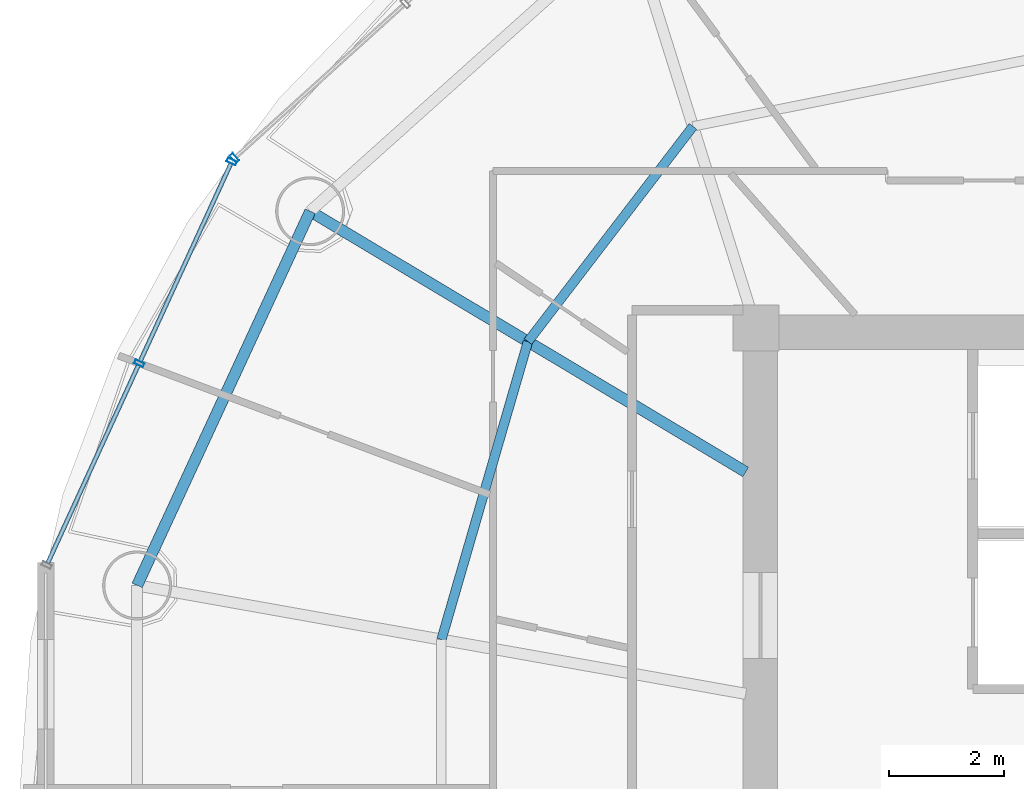
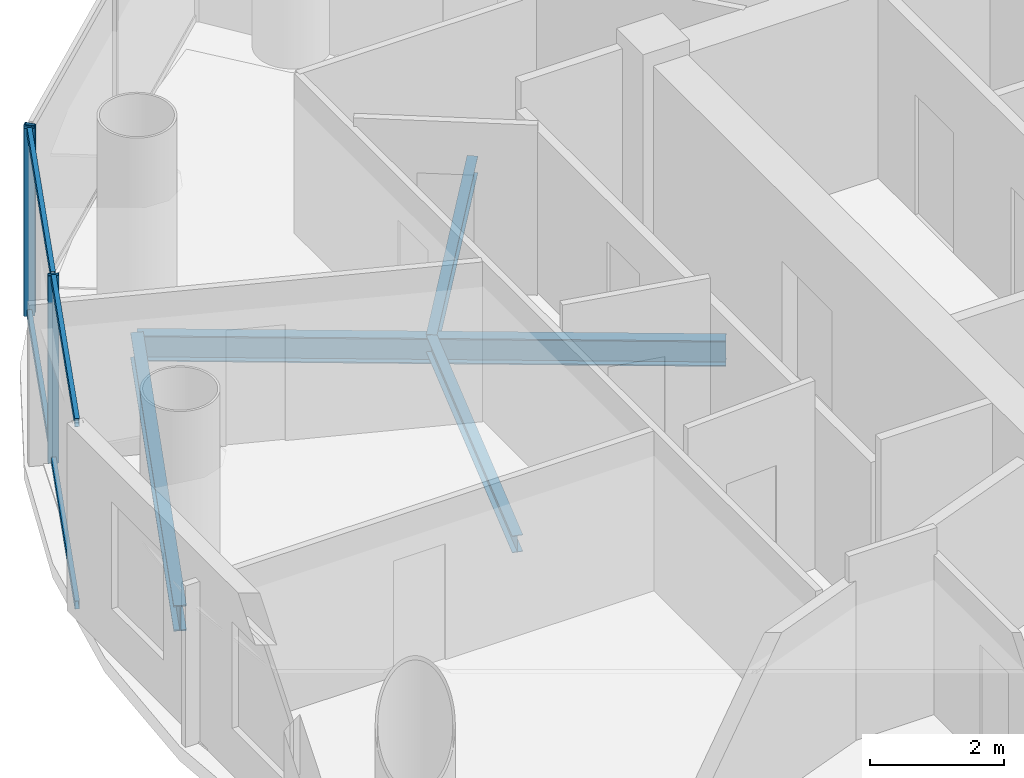
# One storey, part 8 of 26: 7 members, 4 beams, 2 elements without a shape of their own.
"""IFC4 building model written with IfcOpenShell, lengths in metres."""

from ifc_helpers import new_model, si_unit, direction, frame, origin, origin_2d, place, context, subcontext, project, spatial, hollow_rectangle, i_section, extrude, source, transform, mapped, material, material_profile, profile_set, type_object, element, aggregate, save


model = new_model("IFC4")

# Units and contexts
model_context = context("Model", 3, precision=1e-05, world=origin(), true_north=direction((-0.2419218956, 0.970295726276)))
body_context = subcontext(model_context, "Body", "Model", "MODEL_VIEW")
ifc_project = project(units=[si_unit("LENGTHUNIT", "METRE"), si_unit("AREAUNIT", "SQUARE_METRE"), si_unit("VOLUMEUNIT", "CUBIC_METRE"), si_unit("PLANEANGLEUNIT", "RADIAN"), si_unit("MASSUNIT", "GRAM", prefix="KILO")], contexts=[model_context])

# Site, building, storey
site_placement = place(None, origin())
site = spatial("IfcSite", under=ifc_project, at=site_placement, CompositionType="ELEMENT")
building_placement = place(site_placement, origin())
building = spatial("IfcBuilding", under=site, at=building_placement, Name="Cobrevalo Terracotta Tower", CompositionType="ELEMENT")
storey_placement = place(building_placement, frame((0.0, 0.0, 209.699951171875)))
storey = spatial("IfcBuildingStorey", under=building, at=storey_placement, Name="L55", CompositionType="ELEMENT", Elevation=209.699951171875)

# Beams
ifc_material_1 = material(Name="Steel S355", Category="steel")
ifc_material_profile_1 = material_profile(ifc_material_1, i_section(OverallWidth=0.194091796875, OverallDepth=0.468994140625, WebThickness=0.011474609375, FlangeThickness=0.0205078125, at=origin_2d()), Name="W 460x106")
ifc_profile_set_1 = profile_set([ifc_material_profile_1], Name="Steel S355")
beam_type_1 = type_object("IfcBeamType", Name="Structural Beam W 460x106 (Steel S355)", PredefinedType="BEAM", material=ifc_profile_set_1)
beam_1_placement = place(storey_placement, frame((21.245849609375, 36.828125, -0.49951171875), z_axis=(0.858046392192, -0.513572184651, 0.0), x_axis=(0.513572184651, 0.858046392192, 0.0)))
element("IfcBeam", 1, at=beam_1_placement, inside=storey, type_object=beam_type_1, Name="L55 radial floor girder 07", PredefinedType="BEAM", context=body_context, shape_type="SweptSolid", body=[
    extrude(i_section(OverallWidth=0.194091796875, OverallDepth=0.468994140625, WebThickness=0.011474609375, FlangeThickness=0.0205078125, at=origin_2d()), origin(), (0.0, 0.0, 1.0), 8.827392578125),
])
ifc_material_profile_2 = material_profile(ifc_material_1, i_section(OverallWidth=0.1650390625, OverallDepth=0.31005859375, WebThickness=0.005859375, FlangeThickness=0.009765625, at=origin_2d()), Name="W 310x38.7")
ifc_profile_set_2 = profile_set([ifc_material_profile_2], Name="Steel S355")
beam_type_2 = type_object("IfcBeamType", Name="Structural Joist W 310x38.7 (Steel S355)", PredefinedType="JOIST", material=ifc_profile_set_2)
beam_2_placement = place(storey_placement, frame((27.902587890625, 38.303955078125, -0.419921875), z_axis=(-0.608464146296, -0.793581364872, 0.0), x_axis=(0.793581364872, -0.608464146296, 0.0)))
element("IfcBeam", 2, at=beam_2_placement, inside=storey, type_object=beam_type_2, Name="L55 circumferential secondary floor joist 06", PredefinedType="JOIST", context=body_context, shape_type="SweptSolid", body=[
    extrude(i_section(OverallWidth=0.1650390625, OverallDepth=0.31005859375, WebThickness=0.005859375, FlangeThickness=0.009765625, at=origin_2d()), origin(), (0.0, 0.0, 1.0), 4.716064453125),
])
beam_3_placement = place(storey_placement, frame((25.032958984375, 34.561279296875, -0.419921875), z_axis=(-0.278769817131, -0.960357948401, 0.0), x_axis=(0.960357948401, -0.278769817131, 0.0)))
element("IfcBeam", 3, at=beam_3_placement, inside=storey, type_object=beam_type_2, Name="L55 circumferential secondary floor joist 07", PredefinedType="JOIST", context=body_context, shape_type="SweptSolid", body=[
    extrude(i_section(OverallWidth=0.1650390625, OverallDepth=0.31005859375, WebThickness=0.005859375, FlangeThickness=0.009765625, at=origin_2d()), origin(), (0.0, 0.0, 1.0), 5.396484375),
])
ifc_material_profile_3 = material_profile(ifc_material_1, i_section(OverallWidth=0.194091796875, OverallDepth=0.468994140625, WebThickness=0.011474609375, FlangeThickness=0.0205078125, at=origin_2d()), Name="W 460x106")
ifc_profile_set_3 = profile_set([ifc_material_profile_3], Name="Steel S355")
beam_type_3 = type_object("IfcBeamType", Name="Structural Spandrel W 460x106 (Steel S355)", PredefinedType="SPANDREL", material=ifc_profile_set_3)
beam_4_placement = place(storey_placement, frame((21.245849609375, 36.828125, -0.49951171875), z_axis=(-0.419705965131, -0.907660125176, 0.0), x_axis=(0.907660125176, -0.419705965131, 0.0)))
element("IfcBeam", 4, at=beam_4_placement, inside=storey, type_object=beam_type_3, Name="L55 perimeter ring spandrel 07", PredefinedType="SPANDREL", context=body_context, shape_type="SweptSolid", body=[
    extrude(i_section(OverallWidth=0.194091796875, OverallDepth=0.468994140625, WebThickness=0.011474609375, FlangeThickness=0.0205078125, at=origin_2d()), origin(), (0.0, 0.0, 1.0), 7.168701171875),
])

# Curtain wall, members
ifc_material_2 = material(Name="Anodized aluminium", Category="aluminium")
curtain_wall_type = type_object("IfcCurtainWallType", Name="Mid-tower high-wind unitised curtain wall CW-U2", PredefinedType="NOTDEFINED", material=ifc_material_2)
curtain_wall_1_placement = place(storey_placement, origin())
curtain_wall_1 = element("IfcCurtainWall", 5, at=curtain_wall_1_placement, inside=storey, type_object=curtain_wall_type, Name="L55 curtain wall CW-L55-S07", PredefinedType="NOTDEFINED")
ifc_material_profile_4 = material_profile(ifc_material_2, hollow_rectangle(XDim=0.074951171875, YDim=0.14990234375, WallThickness=0.00439453125, at=origin_2d()), Name="CWT 75x150")
ifc_profile_set_4 = profile_set([ifc_material_profile_4], Name="Anodized aluminium")
member_type_1 = type_object("IfcMemberType", Name="Tower unitised aluminium transom 75x150", PredefinedType="USERDEFINED", material=ifc_profile_set_4)
shared_shape_1 = source(origin(), body_context, "Body", "SweptSolid", [
    extrude(hollow_rectangle(XDim=0.074951171875, YDim=0.14990234375, WallThickness=0.00439453125, at=origin_2d()), origin(), (0.0, 0.0, 1.0), 3.780029296875),
])
member_1_placement = place(storey_placement, frame((19.865478515625, 37.6552734375, 0.050048828125), z_axis=(-0.416705859352, -0.909041377926, 0.0), x_axis=(0.909041377926, -0.416705859352, 0.0)))
member_1 = element("IfcMember", 6, at=member_1_placement, type_object=member_type_1, Name="CW-L55-S07 transom B01-T1", ObjectType="TRANSOM", PredefinedType="USERDEFINED", context=body_context, shape_type="MappedRepresentation", body=[
    mapped(shared_shape_1, transform((0.0, 0.0, 0.0), scale=1.0)),
])
member_2_placement = place(storey_placement, frame((19.865478515625, 37.6552734375, 3.385009765625), z_axis=(-0.416705859352, -0.909041377926, 0.0), x_axis=(0.909041377926, -0.416705859352, 0.0)))
member_2 = element("IfcMember", 7, at=member_2_placement, type_object=member_type_1, Name="CW-L55-S07 transom B01-T2", ObjectType="TRANSOM", PredefinedType="USERDEFINED", context=body_context, shape_type="MappedRepresentation", body=[
    mapped(shared_shape_1, transform((0.0, 0.0, 0.0), scale=1.0)),
])
member_3_placement = place(storey_placement, frame((18.2568359375, 34.146484375, 0.050048828125), z_axis=(-0.416705859352, -0.909041377926, 0.0), x_axis=(0.909041377926, -0.416705859352, 0.0)))
member_3 = element("IfcMember", 8, at=member_3_placement, type_object=member_type_1, Name="CW-L55-S07 transom B02-T1", ObjectType="TRANSOM", PredefinedType="USERDEFINED", context=body_context, shape_type="MappedRepresentation", body=[
    mapped(shared_shape_1, transform((0.0, 0.0, 0.0), scale=1.0)),
])
member_4_placement = place(storey_placement, frame((18.2568359375, 34.146484375, 3.385009765625), z_axis=(-0.416705859352, -0.909041377926, 0.0), x_axis=(0.909041377926, -0.416705859352, 0.0)))
member_4 = element("IfcMember", 9, at=member_4_placement, type_object=member_type_1, Name="CW-L55-S07 transom B02-T2", ObjectType="TRANSOM", PredefinedType="USERDEFINED", context=body_context, shape_type="MappedRepresentation", body=[
    mapped(shared_shape_1, transform((0.0, 0.0, 0.0), scale=1.0)),
])

# Curtain wall, member
curtain_wall_2_placement = place(storey_placement, origin())
curtain_wall_2 = element("IfcCurtainWall", 10, at=curtain_wall_2_placement, inside=storey, type_object=curtain_wall_type, Name="L55 curtain wall CW-L55-S06", PredefinedType="NOTDEFINED")
ifc_material_profile_5 = material_profile(ifc_material_2, hollow_rectangle(XDim=0.070068359375, YDim=0.169921875, WallThickness=0.00439453125, at=origin_2d()), Name="CWM 70x170")
ifc_profile_set_5 = profile_set([ifc_material_profile_5], Name="Anodized aluminium")
member_type_2 = type_object("IfcMemberType", Name="Upper tower unitised mullion 70x170", PredefinedType="MULLION", material=ifc_profile_set_5)
shared_shape_2 = source(origin(), body_context, "Body", "SweptSolid", [
    extrude(hollow_rectangle(XDim=0.070068359375, YDim=0.169921875, WallThickness=0.00439453125, at=origin_2d()), origin(), (0.0, 0.0, 1.0), 3.43505859375),
])
member_5_placement = place(storey_placement, frame((19.928466796875, 37.7548828125, 0.0), z_axis=(0.0, 0.0, 1.0), x_axis=(-0.741987542015, -0.670413668935, 0.0)))
member_5 = element("IfcMember", 11, at=member_5_placement, type_object=member_type_2, Name="CW-L55-S06 vertical mullion 03", PredefinedType="MULLION", context=body_context, shape_type="MappedRepresentation", body=[
    mapped(shared_shape_2, transform((0.0, 0.0, 0.0), scale=1.0)),
])
aggregate(curtain_wall_2, [member_5])

# Member
member_6_placement = place(storey_placement, frame((19.88232421875, 37.691650390625, 0.0), z_axis=(0.0, 0.0, 1.0), x_axis=(-0.41672507912, -0.909032567311, 0.0)))
member_6 = element("IfcMember", 12, at=member_6_placement, type_object=member_type_2, Name="CW-L55-S07 vertical mullion 01", PredefinedType="MULLION", context=body_context, shape_type="MappedRepresentation", body=[
    mapped(shared_shape_2, transform((0.0, 0.0, 0.0), scale=1.0)),
])

member_7_placement = place(storey_placement, frame((18.273681640625, 34.182861328125, 0.0), z_axis=(0.0, 0.0, 1.0), x_axis=(-0.41672507912, -0.909032567311, 0.0)))
member_7 = element("IfcMember", 13, at=member_7_placement, type_object=member_type_2, Name="CW-L55-S07 vertical mullion 02", PredefinedType="MULLION", context=body_context, shape_type="MappedRepresentation", body=[
    mapped(shared_shape_2, transform((0.0, 0.0, 0.0), scale=1.0)),
])

aggregate(curtain_wall_1, [member_6, member_7, member_1, member_2, member_3, member_4])

save(model, "model.ifc")
